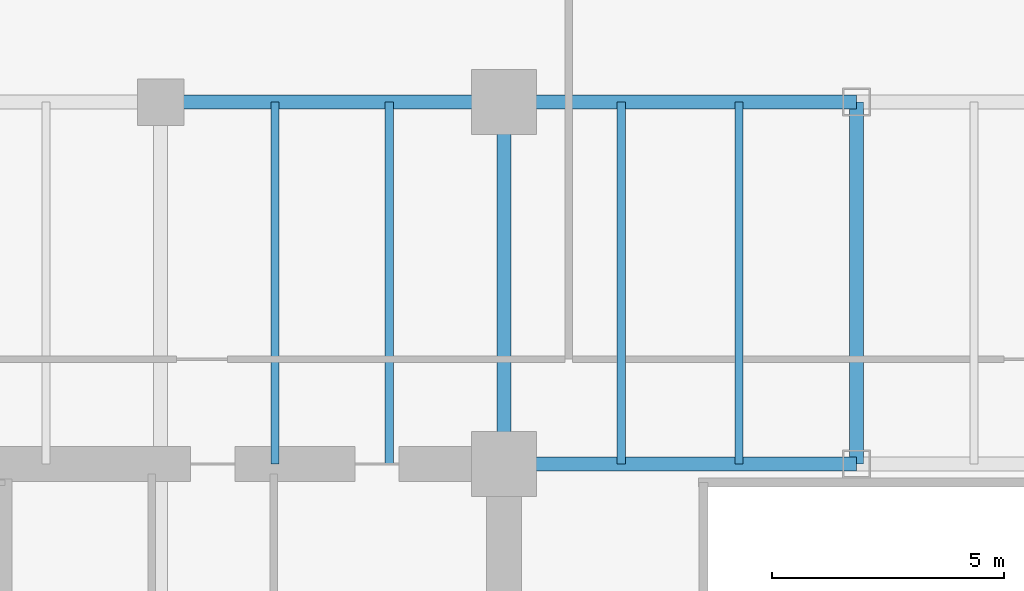
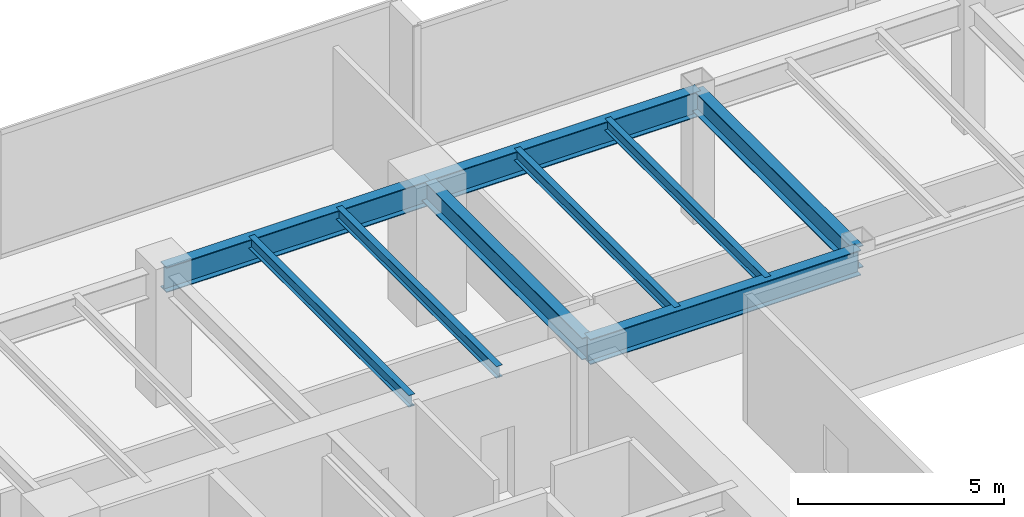
# One storey, part 13 of 35: 9 beams.
"""IFC4 building model written with IfcOpenShell, lengths in metres."""

from ifc_helpers import new_model, si_unit, direction, frame, origin, origin_2d, place, context, subcontext, project, spatial, i_section, extrude, source, transform, mapped, material, material_profile, profile_set, type_object, type_shapes, element, save


model = new_model("IFC4")

# Units and contexts
model_context = context("Model", 3, precision=1e-05, world=origin(), true_north=direction((0.0, 1.0)))
body_context = subcontext(model_context, "Body", "Model", "MODEL_VIEW")
ifc_project = project(units=[si_unit("LENGTHUNIT", "METRE"), si_unit("AREAUNIT", "SQUARE_METRE"), si_unit("VOLUMEUNIT", "CUBIC_METRE"), si_unit("PLANEANGLEUNIT", "RADIAN"), si_unit("MASSUNIT", "GRAM", prefix="KILO")], contexts=[model_context])

# Site, building, storey
site_placement = place(None, origin())
site = spatial("IfcSite", under=ifc_project, at=site_placement, CompositionType="ELEMENT")
building_placement = place(site_placement, origin())
building = spatial("IfcBuilding", under=site, at=building_placement, Name="Haelvirn Gate Laboratories", CompositionType="ELEMENT")
storey_placement = place(building_placement, frame((0.0, 0.0, 86.699951171875)))
storey = spatial("IfcBuildingStorey", under=building, at=storey_placement, Name="L21", CompositionType="ELEMENT", Elevation=86.699951171875)

# Beams
ifc_material = material(Name="Steel SM355", Category="steel")
ifc_material_profile_1 = material_profile(ifc_material, i_section(OverallWidth=0.300048828125, OverallDepth=0.75, WebThickness=0.013916015625, FlangeThickness=0.02392578125, at=origin_2d()), Name="H-750x300x14x24")
ifc_profile_set_1 = profile_set([ifc_material_profile_1], Name="Steel SM355")
beam_type_1 = type_object("IfcBeamType", Name="BM-G-750", PredefinedType="BEAM", material=ifc_profile_set_1)
shared_shape_1 = source(origin(), body_context, "Body", "SweptSolid", [
    extrude(i_section(OverallWidth=0.300048828125, OverallDepth=0.75, WebThickness=0.013916015625, FlangeThickness=0.02392578125, at=origin_2d()), origin(), (0.0, 0.0, 1.0), 7.39990234375),
])
beam_placement = place(storey_placement, frame((14.800048828125, 41.60009765625, 3.405029296875), z_axis=(1.0, 0.0, 0.0), x_axis=(0.0, 1.0, 0.0)))
element("IfcBeam", 1, at=beam_placement, inside=storey, type_object=beam_type_1, Name="L21 Primary Girder Y41.6 (14.8-22.2)", PredefinedType="BEAM", context=body_context, shape_type="MappedRepresentation", body=[
    mapped(shared_shape_1, transform((0.0, 0.0, 0.0), scale=1.0)),
])
shared_shape_2 = source(origin(), body_context, "Body", "SweptSolid", [
    extrude(i_section(OverallWidth=0.300048828125, OverallDepth=0.75, WebThickness=0.013916015625, FlangeThickness=0.02392578125, at=origin_2d()), origin(), (0.0, 0.0, 1.0), 7.60009765625),
])
type_shapes(beam_type_1, [shared_shape_1, shared_shape_2])
for number, where, z_axis, x_axis, name in (
    (2, (22.199951171875, 33.800048828125, 3.405029296875), (1.0, 0.0, 0.0), (0.0, 1.0, 0.0), "L21 Primary Girder Y33.8 (22.2-29.8)"),
    (3, (22.199951171875, 41.60009765625, 3.405029296875), (1.0, 0.0, 0.0), (0.0, 1.0, 0.0), "L21 Primary Girder Y41.6 (22.2-29.8)"),
):
    element("IfcBeam", number, at=place(storey_placement, frame(where, z_axis=z_axis, x_axis=x_axis)), inside=storey, type_object=beam_type_1, Name=name, PredefinedType="BEAM", context=body_context, shape_type="MappedRepresentation", body=[
        mapped(shared_shape_2, transform((0.0, 0.0, 0.0), scale=1.0)),
    ])
ifc_material_profile_2 = material_profile(ifc_material, i_section(OverallWidth=0.175048828125, OverallDepth=0.35009765625, WebThickness=0.007080078125, FlangeThickness=0.010986328125, at=origin_2d()), Name="H-350x175x7x11")
ifc_profile_set_2 = profile_set([ifc_material_profile_2], Name="Steel SM355")
beam_type_2 = type_object("IfcBeamType", Name="BM-J-350", PredefinedType="JOIST", material=ifc_profile_set_2)
shared_shape_3 = source(origin(), body_context, "Body", "SweptSolid", [
    extrude(i_section(OverallWidth=0.175048828125, OverallDepth=0.35009765625, WebThickness=0.007080078125, FlangeThickness=0.010986328125, at=origin_2d()), origin(), (0.0, 0.0, 1.0), 7.800048828125),
])
type_shapes(beam_type_2, [shared_shape_3])
for number, where, z_axis, x_axis, name in (
    (4, (17.27001953125, 33.800048828125, 3.60498046875), (0.0, 1.0, 0.0), (-1.0, 0.0, 0.0), "L21 Composite Lab Joist North X17.27"),
    (5, (19.72998046875, 33.800048828125, 3.60498046875), (0.0, 1.0, 0.0), (-1.0, 0.0, 0.0), "L21 Composite Lab Joist North X19.73"),
    (6, (24.72998046875, 33.800048828125, 3.60498046875), (0.0, 1.0, 0.0), (-1.0, 0.0, 0.0), "L21 Composite Lab Joist North X24.73"),
    (7, (27.27001953125, 33.800048828125, 3.60498046875), (0.0, 1.0, 0.0), (-1.0, 0.0, 0.0), "L21 Composite Lab Joist North X27.27"),
):
    element("IfcBeam", number, at=place(storey_placement, frame(where, z_axis=z_axis, x_axis=x_axis)), inside=storey, type_object=beam_type_2, Name=name, PredefinedType="JOIST", context=body_context, shape_type="MappedRepresentation", body=[
        mapped(shared_shape_3, transform((0.0, 0.0, 0.0), scale=1.0)),
    ])
ifc_material_profile_3 = material_profile(ifc_material, i_section(OverallWidth=0.300048828125, OverallDepth=0.64990234375, WebThickness=0.012939453125, FlangeThickness=0.02197265625, at=origin_2d()), Name="H-650x300x13x22")
ifc_profile_set_3 = profile_set([ifc_material_profile_3], Name="Steel SM355")
beam_type_3 = type_object("IfcBeamType", Name="BM-G-650", PredefinedType="BEAM", material=ifc_profile_set_3)
shared_shape_4 = source(origin(), body_context, "Body", "SweptSolid", [
    extrude(i_section(OverallWidth=0.300048828125, OverallDepth=0.64990234375, WebThickness=0.012939453125, FlangeThickness=0.02197265625, at=origin_2d()), origin(), (0.0, 0.0, 1.0), 7.800048828125),
])
type_shapes(beam_type_3, [shared_shape_4])
for number, where, z_axis, x_axis, name in (
    (8, (22.199951171875, 33.800048828125, 3.455078125), (0.0, 1.0, 0.0), (-1.0, 0.0, 0.0), "L21 Frame Girder X22.2 (33.8-41.6)"),
    (9, (29.800048828125, 33.800048828125, 3.455078125), (0.0, 1.0, 0.0), (-1.0, 0.0, 0.0), "L21 Frame Girder X29.8 (33.8-41.6)"),
):
    element("IfcBeam", number, at=place(storey_placement, frame(where, z_axis=z_axis, x_axis=x_axis)), inside=storey, type_object=beam_type_3, Name=name, PredefinedType="BEAM", context=body_context, shape_type="MappedRepresentation", body=[
        mapped(shared_shape_4, transform((0.0, 0.0, 0.0), scale=1.0)),
    ])

save(model, "model.ifc")
